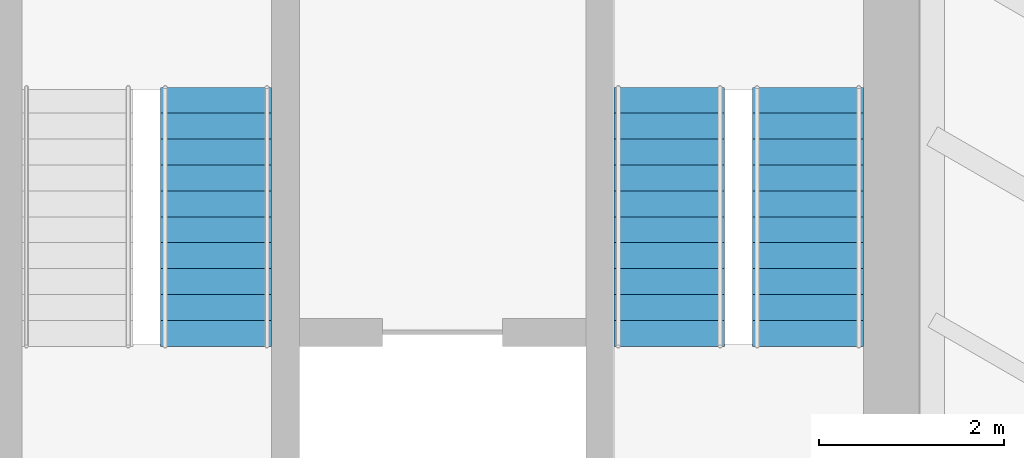
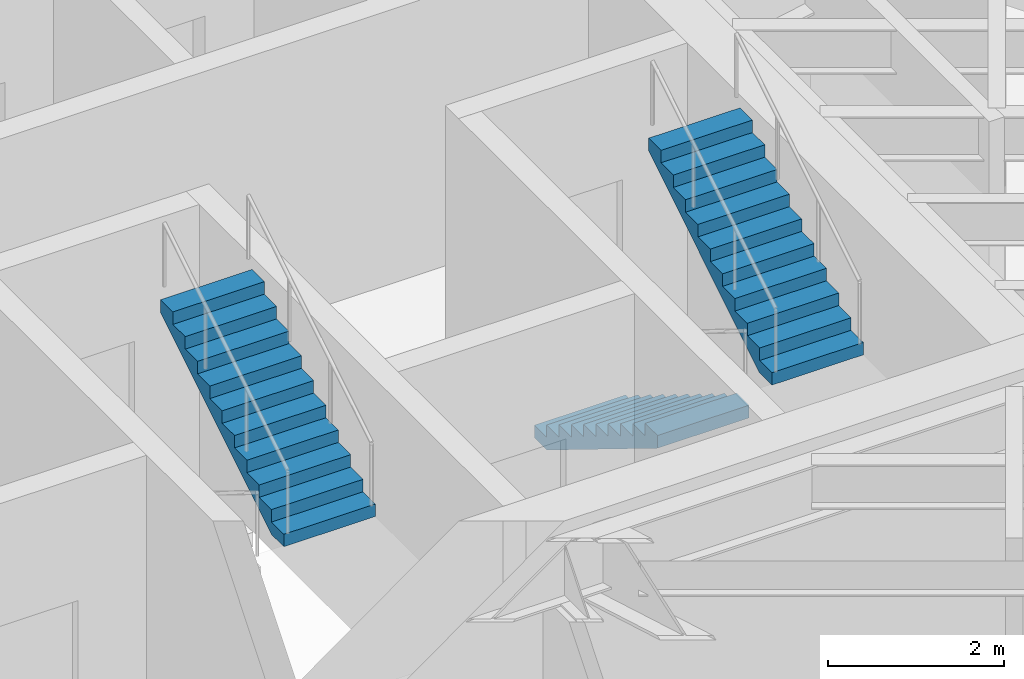
# One storey, part 13 of 14: 3 stair flights, 2 elements without a shape of their own.
"""IFC4 building model written with IfcOpenShell, lengths in metres."""

from ifc_helpers import new_model, si_unit, direction, frame, origin, place, context, subcontext, project, spatial, polyline, outline, extrude, material, type_object, element, aggregate, save


model = new_model("IFC4")

# Units and contexts
model_context = context("Model", 3, precision=1e-05, world=origin(), true_north=direction((0.0, 1.0)))
body_context = subcontext(model_context, "Body", "Model", "MODEL_VIEW")
ifc_project = project(units=[si_unit("LENGTHUNIT", "METRE"), si_unit("AREAUNIT", "SQUARE_METRE"), si_unit("VOLUMEUNIT", "CUBIC_METRE"), si_unit("PLANEANGLEUNIT", "RADIAN"), si_unit("MASSUNIT", "GRAM", prefix="KILO")], contexts=[model_context])

# Site, building, storey
site_placement = place(None, origin())
site = spatial("IfcSite", under=ifc_project, at=site_placement, CompositionType="ELEMENT")
building_placement = place(site_placement, origin())
building = spatial("IfcBuilding", under=site, at=building_placement, Name="Sandreach Pilgrim Tower", CompositionType="ELEMENT")
storey_placement = place(building_placement, frame((0.0, 0.0, 291.199951171875)))
storey = spatial("IfcBuildingStorey", under=building, at=storey_placement, Name="L73", CompositionType="ELEMENT", Elevation=291.199951171875)

# Stair, stair flight
ifc_material_1 = material(Name="Concrete 8000 psi", Category="concrete")
stair_type = type_object("IfcStairType", Name="Core exit stair", PredefinedType="HALF_TURN_STAIR", material=ifc_material_1)
stair_1_placement = place(storey_placement, origin())
stair_1 = element("IfcStair", 1, at=stair_1_placement, inside=storey, type_object=stair_type, Name="Exit stair ST3 L73", PredefinedType="HALF_TURN_STAIR")
ifc_material_2 = material(Name="Concrete 8000 psi", Category="concrete")
stair_flight_type = type_object("IfcStairFlightType", Name="Core stair flight 1200", PredefinedType="STRAIGHT", material=ifc_material_2)
stair_flight_1_placement = place(storey_placement, frame((0.75, -3.199951171875, 1.900146484375), z_axis=(0.0, 0.0, 1.0), x_axis=(0.0, 1.0, 0.0)))
stair_flight_1 = element("IfcStairFlight", 2, at=stair_flight_1_placement, type_object=stair_flight_type, Name="ST3 flight 2", NumberOfRisers=11, NumberOfTreads=10, PredefinedType="STRAIGHT", RiserHeight=0.172727273, TreadLength=0.28, context=body_context, shape_type="SweptSolid", body=[
    extrude(outline(polyline([(0.0, 0.0), (0.0, 0.172607421875), (0.280029296875, 0.172607421875), (0.280029296875, 0.345458984375), (0.56005859375, 0.345458984375), (0.56005859375, 0.51806640625), (0.840087890625, 0.51806640625), (0.840087890625, 0.69091796875), (1.1201171875, 0.69091796875), (1.1201171875, 0.863525390625), (1.39990234375, 0.863525390625), (1.39990234375, 1.036376953125), (1.679931640625, 1.036376953125), (1.679931640625, 1.208984375), (1.9599609375, 1.208984375), (1.9599609375, 1.3818359375), (2.239990234375, 1.3818359375), (2.239990234375, 1.554443359375), (2.52001953125, 1.554443359375), (2.52001953125, 1.727294921875), (2.800048828125, 1.727294921875), (2.800048828125, 1.89990234375), (2.800048828125, 1.551025390625), (0.285400390625, 0.0), (0.0, 0.0)])), frame((0.0, 0.60009765625, 0.0), z_axis=(0.0, -1.0, 0.0), x_axis=(1.0, 0.0, 0.0)), (0.0, 0.0, 1.0), 1.199951171875),
])
aggregate(stair_1, [stair_flight_1])

# Stair, stair flights
stair_2_placement = place(storey_placement, origin())
stair_2 = element("IfcStair", 3, at=stair_2_placement, inside=storey, type_object=stair_type, Name="Exit stair ST2 L73", PredefinedType="HALF_TURN_STAIR")
stair_flight_2_placement = place(storey_placement, frame((5.64990234375, -0.39990234375, 0.0), z_axis=(0.0, 0.0, 1.0), x_axis=(0.0, -1.0, 0.0)))
stair_flight_2 = element("IfcStairFlight", 4, at=stair_flight_2_placement, type_object=stair_flight_type, Name="ST2 flight 1", NumberOfRisers=11, NumberOfTreads=10, PredefinedType="STRAIGHT", RiserHeight=0.172727273, TreadLength=0.28, context=body_context, shape_type="SweptSolid", body=[
    extrude(outline(polyline([(0.0, 0.0), (0.0, 0.172607421875), (0.280029296875, 0.172607421875), (0.280029296875, 0.345458984375), (0.56005859375, 0.345458984375), (0.56005859375, 0.51806640625), (0.840087890625, 0.51806640625), (0.840087890625, 0.69091796875), (1.1201171875, 0.69091796875), (1.1201171875, 0.863525390625), (1.39990234375, 0.863525390625), (1.39990234375, 1.036376953125), (1.679931640625, 1.036376953125), (1.679931640625, 1.208984375), (1.9599609375, 1.208984375), (1.9599609375, 1.3818359375), (2.239990234375, 1.3818359375), (2.239990234375, 1.554443359375), (2.52001953125, 1.554443359375), (2.52001953125, 1.727294921875), (2.800048828125, 1.727294921875), (2.800048828125, 1.89990234375), (2.800048828125, 1.551025390625), (0.285400390625, 0.0), (0.0, 0.0)])), frame((0.0, 0.60009765625, 0.0), z_axis=(0.0, -1.0, 0.0), x_axis=(1.0, 0.0, 0.0)), (0.0, 0.0, 1.0), 1.199951171875),
])
stair_flight_3_placement = place(storey_placement, frame((7.14990234375, -3.199951171875, 1.900146484375), z_axis=(0.0, 0.0, 1.0), x_axis=(0.0, 1.0, 0.0)))
stair_flight_3 = element("IfcStairFlight", 5, at=stair_flight_3_placement, type_object=stair_flight_type, Name="ST2 flight 2", NumberOfRisers=11, NumberOfTreads=10, PredefinedType="STRAIGHT", RiserHeight=0.172727273, TreadLength=0.28, context=body_context, shape_type="SweptSolid", body=[
    extrude(outline(polyline([(0.0, 0.0), (0.0, 0.172607421875), (0.280029296875, 0.172607421875), (0.280029296875, 0.345458984375), (0.56005859375, 0.345458984375), (0.56005859375, 0.51806640625), (0.840087890625, 0.51806640625), (0.840087890625, 0.69091796875), (1.1201171875, 0.69091796875), (1.1201171875, 0.863525390625), (1.39990234375, 0.863525390625), (1.39990234375, 1.036376953125), (1.679931640625, 1.036376953125), (1.679931640625, 1.208984375), (1.9599609375, 1.208984375), (1.9599609375, 1.3818359375), (2.239990234375, 1.3818359375), (2.239990234375, 1.554443359375), (2.52001953125, 1.554443359375), (2.52001953125, 1.727294921875), (2.800048828125, 1.727294921875), (2.800048828125, 1.89990234375), (2.800048828125, 1.551025390625), (0.285400390625, 0.0), (0.0, 0.0)])), frame((0.0, 0.60009765625, 0.0), z_axis=(0.0, -1.0, 0.0), x_axis=(1.0, 0.0, 0.0)), (0.0, 0.0, 1.0), 1.199951171875),
])
aggregate(stair_2, [stair_flight_2, stair_flight_3])

save(model, "model.ifc")
